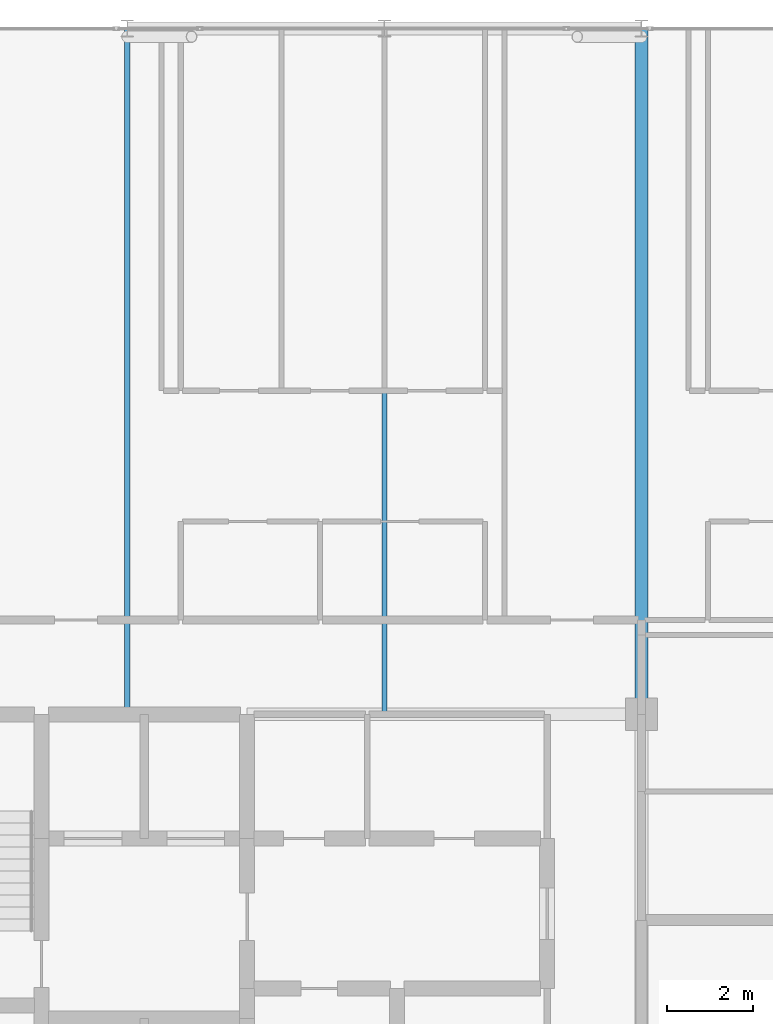
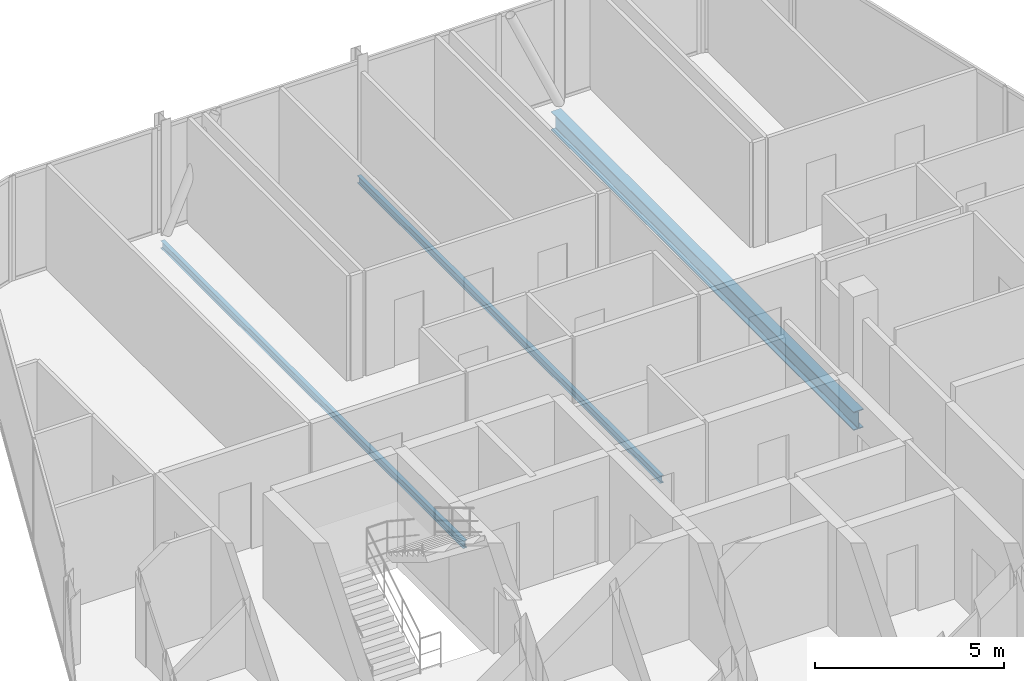
# One storey, part 16 of 27: 3 beams.
"""IFC4 building model written with IfcOpenShell, lengths in metres."""

from ifc_helpers import new_model, si_unit, direction, frame, origin, origin_2d, place, context, subcontext, project, spatial, i_section, extrude, material, material_profile, profile_set, type_object, element, save


model = new_model("IFC4")

# Units and contexts
model_context = context("Model", 3, precision=1e-05, world=origin(), true_north=direction((0.0, 1.0)))
body_context = subcontext(model_context, "Body", "Model", "MODEL_VIEW")
ifc_project = project(units=[si_unit("LENGTHUNIT", "METRE"), si_unit("AREAUNIT", "SQUARE_METRE"), si_unit("VOLUMEUNIT", "CUBIC_METRE"), si_unit("PLANEANGLEUNIT", "RADIAN"), si_unit("MASSUNIT", "GRAM", prefix="KILO")], contexts=[model_context])

# Site, building, storey
site_placement = place(None, origin())
site = spatial("IfcSite", under=ifc_project, at=site_placement, CompositionType="ELEMENT")
building_placement = place(site_placement, origin())
building = spatial("IfcBuilding", under=site, at=building_placement, Name="Keshet Zoharim Tower", CompositionType="ELEMENT")
storey_placement = place(building_placement, frame((0.0, 0.0, 262.10009765625)))
storey = spatial("IfcBuildingStorey", under=building, at=storey_placement, Name="L65", CompositionType="ELEMENT", Elevation=262.10009765625)

# Beams
ifc_material = material(Name="Steel S355", Category="steel")
ifc_material_profile_1 = material_profile(ifc_material, i_section(OverallWidth=0.1201171875, OverallDepth=0.239990234375, WebThickness=0.006103515625, FlangeThickness=0.009765625, FilletRadius=0.014892578125, at=origin_2d()), Name="IPE240")
ifc_profile_set_1 = profile_set([ifc_material_profile_1], Name="Steel S355")
beam_type_1 = type_object("IfcBeamType", Name="BM-JST-IP240", PredefinedType="JOIST", material=ifc_profile_set_1)
for number, where, z_axis, x_axis, name in (
    (1, (21.0, 37.89990234375, -0.43017578125), (0.0, 1.0, 0.0), (-1.0, 0.0, 0.0), "L65 Secondary Floor Joist J-001"),
    (2, (27.0, 37.89990234375, -0.43017578125), (0.0, 1.0, 0.0), (-1.0, 0.0, 0.0), "L65 Secondary Floor Joist J-002"),
):
    element("IfcBeam", number, at=place(storey_placement, frame(where, z_axis=z_axis, x_axis=x_axis)), inside=storey, type_object=beam_type_1, Name=name, PredefinedType="JOIST", context=body_context, shape_type="SweptSolid", body=[
        extrude(i_section(OverallWidth=0.1201171875, OverallDepth=0.239990234375, WebThickness=0.006103515625, FlangeThickness=0.009765625, FilletRadius=0.014892578125, at=origin_2d()), origin(), (0.0, 0.0, 1.0), 16.0),
    ])
ifc_material_profile_2 = material_profile(ifc_material, i_section(OverallWidth=0.300048828125, OverallDepth=0.60009765625, WebThickness=0.015380859375, FlangeThickness=0.030029296875, FilletRadius=0.027099609375, at=origin_2d()), Name="HEB600")
ifc_profile_set_2 = profile_set([ifc_material_profile_2], Name="Steel S355")
beam_type_2 = type_object("IfcBeamType", Name="BM-LNG-HB600", PredefinedType="BEAM", material=ifc_profile_set_2)
beam_placement = place(storey_placement, frame((33.0, 37.89990234375, -0.610107421875), z_axis=(0.0, 1.0, 0.0), x_axis=(-1.0, 0.0, 0.0)))
element("IfcBeam", 3, at=beam_placement, inside=storey, type_object=beam_type_2, Name="L65 Primary Girder Y-009", PredefinedType="BEAM", context=body_context, shape_type="SweptSolid", body=[
    extrude(i_section(OverallWidth=0.300048828125, OverallDepth=0.60009765625, WebThickness=0.015380859375, FlangeThickness=0.030029296875, FilletRadius=0.027099609375, at=origin_2d()), origin(), (0.0, 0.0, 1.0), 16.0),
])

save(model, "model.ifc")
